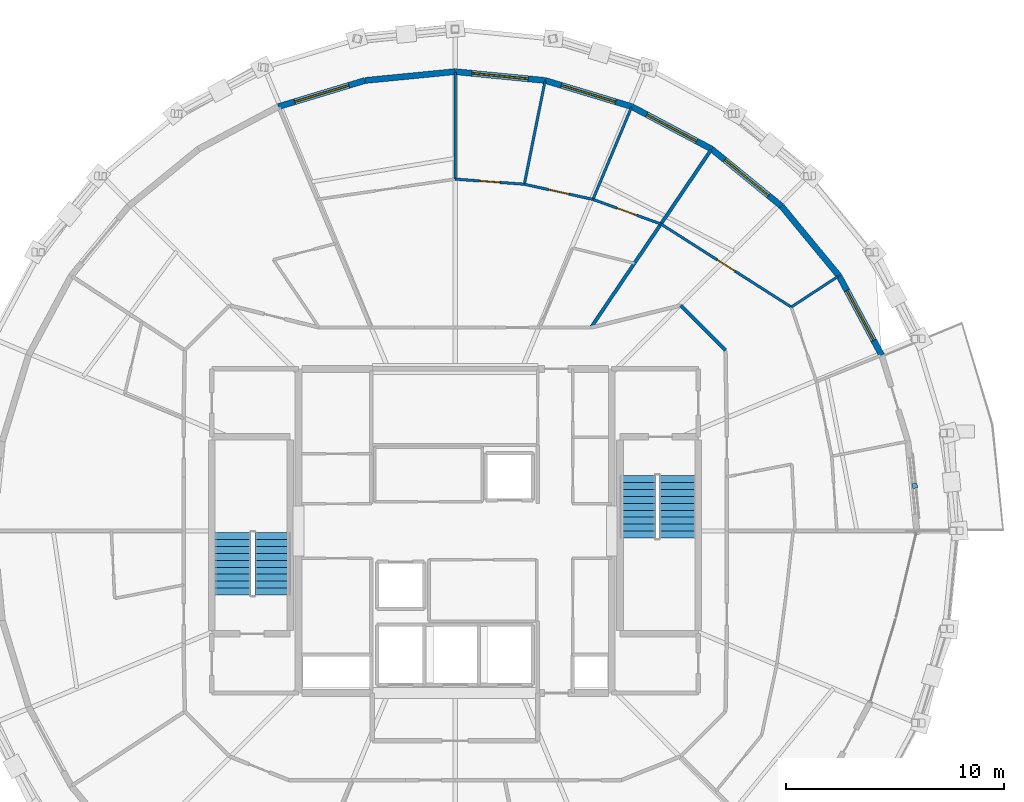
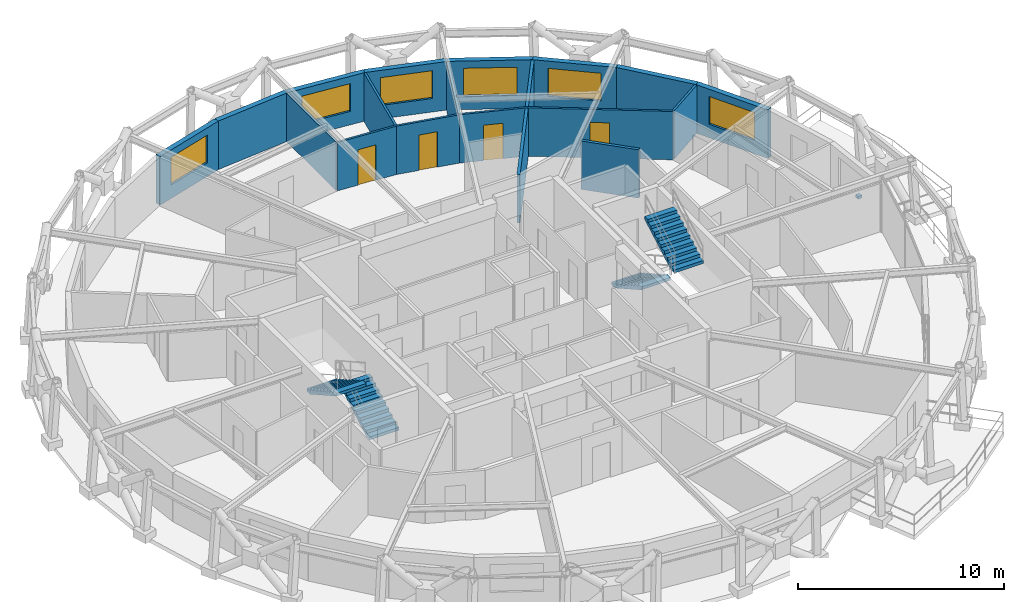
# One storey, part 11 of 12: 18 walls, 6 windows, 4 doors, 4 stair flights, 1 discrete accessory, 10 openings, 2 elements without a shape of their own.
"""IFC4 building model written with IfcOpenShell, lengths in metres."""

from ifc_helpers import new_model, si_unit, direction, frame, frame_2d, origin, origin_2d, place, context, subcontext, project, spatial, polyline, rectangle, outline, extrude, material, layer, layer_set, type_object, element, fill, aggregate, save


model = new_model("IFC4")

# Units and contexts
model_context = context("Model", 3, precision=1e-05, world=origin(), true_north=direction((0.0, 1.0)))
body_context = subcontext(model_context, "Body", "Model", "MODEL_VIEW")
ifc_project = project(units=[si_unit("LENGTHUNIT", "METRE"), si_unit("AREAUNIT", "SQUARE_METRE"), si_unit("VOLUMEUNIT", "CUBIC_METRE"), si_unit("PLANEANGLEUNIT", "RADIAN"), si_unit("MASSUNIT", "GRAM", prefix="KILO")], contexts=[model_context])

# Site, building, storey
site_placement = place(None, origin())
site = spatial("IfcSite", under=ifc_project, at=site_placement, CompositionType="ELEMENT")
building_placement = place(site_placement, origin())
building = spatial("IfcBuilding", under=site, at=building_placement, Name="Veldorina Hangang Commons", CompositionType="ELEMENT")
storey_placement = place(building_placement, frame((0.0, 0.0, 247.199951171875)))
storey = spatial("IfcBuildingStorey", under=building, at=storey_placement, Name="L64", CompositionType="ELEMENT", Elevation=247.199951171875)

# Wall, opening, window
ifc_material_1 = material(Name="Stone Roman Travertine", Category="masonry")
ifc_layer_1 = layer(ifc_material_1, 0.280029296875)
ifc_layer_set_1 = layer_set([ifc_layer_1], Name="Stone Roman Travertine")
wall_type_1 = type_object("IfcWallType", Name="EW-TRAV-280", PredefinedType="STANDARD", material=ifc_layer_set_1)
wall_1_placement = place(storey_placement, frame((51.6044921875, 32.078369140625, 0.0), z_axis=(0.0, 0.0, 1.0), x_axis=(-0.473326520675, 0.880887055658, 0.0)))
wall_1 = element("IfcWall", 1, at=wall_1_placement, inside=storey, type_object=wall_type_1, Name="L64 travertine facade wall 02", PredefinedType="STANDARD", context=body_context, shape_type="SweptSolid", body=[
    extrude(rectangle(XDim=4.142822265625, YDim=0.280029296875, at=frame_2d((2.0712890625, 0.0))), origin(), (0.0, 0.0, 1.0), 2.880126953125),
])
opening_1_placement = place(wall_1_placement, frame((0.771484375, 0.0, 0.800048828125)))
opening_1 = element("IfcOpeningElement", 2, at=opening_1_placement, cuts=wall_1, Name="Opening W-02", PredefinedType="OPENING", context=body_context, shape_type="SweptSolid", body=[
    extrude(rectangle(XDim=2.60009765625, YDim=1.64990234375, at=frame_2d((1.300048828125, 0.824951171875))), frame((0.0, 0.14990234375, 0.0), z_axis=(0.0, -1.0, 0.0), x_axis=(1.0, 0.0, 0.0)), (0.0, 0.0, 1.0), 0.300048828125),
])
ifc_material_2 = material(Name="Glass Low-E Triple IGU", Category="glass")
window_type = type_object("IfcWindowType", Name="WIN-TWR-2600", PartitioningType="SINGLE_PANEL", PredefinedType="WINDOW", material=ifc_material_2)
window_1_placement = place(opening_1_placement, origin())
window_1 = element("IfcWindow", 3, at=window_1_placement, inside=storey, type_object=window_type, Name="L64 facade window 02", OverallHeight=1.64990234375, OverallWidth=2.60009765625, PartitioningType="SINGLE_PANEL", PredefinedType="WINDOW", context=body_context, shape_type="SweptSolid", body=[
    extrude(rectangle(XDim=2.60009765625, YDim=1.64990234375, at=frame_2d((1.300048828125, 0.824951171875))), frame((0.0, 0.030029296875, 0.0), z_axis=(0.0, -1.0, 0.0), x_axis=(1.0, 0.0, 0.0)), (0.0, 0.0, 1.0), 0.06005859375),
])
fill(opening_1, window_1)

# Wall
wall_2_placement = place(storey_placement, frame((49.6435546875, 35.727783203125, 0.0), z_axis=(0.0, 0.0, 1.0), x_axis=(-0.63634880002, 0.771401454959, 0.0)))
element("IfcWall", 4, at=wall_2_placement, inside=storey, type_object=wall_type_1, Name="L64 travertine facade wall 03", PredefinedType="STANDARD", context=body_context, shape_type="SweptSolid", body=[
    extrude(rectangle(XDim=4.14697265625, YDim=0.280029296875, at=frame_2d((2.073486328125, 0.0))), origin(), (0.0, 0.0, 1.0), 2.880126953125),
])

# Wall, opening, window
wall_3_placement = place(storey_placement, frame((47.004638671875, 38.9267578125, 0.0), z_axis=(0.0, 0.0, 1.0), x_axis=(-0.774627683951, 0.632417545025, 0.0)))
wall_3 = element("IfcWall", 5, at=wall_3_placement, inside=storey, type_object=wall_type_1, Name="L64 travertine facade wall 04", PredefinedType="STANDARD", context=body_context, shape_type="SweptSolid", body=[
    extrude(rectangle(XDim=4.151123046875, YDim=0.280029296875, at=frame_2d((2.07568359375, 0.0))), origin(), (0.0, 0.0, 1.0), 2.880126953125),
])
opening_2_placement = place(wall_3_placement, frame((0.775634765625, 0.0, 0.800048828125)))
opening_2 = element("IfcOpeningElement", 6, at=opening_2_placement, cuts=wall_3, Name="Opening W-02", PredefinedType="OPENING", context=body_context, shape_type="SweptSolid", body=[
    extrude(rectangle(XDim=2.60009765625, YDim=1.64990234375, at=frame_2d((1.300048828125, 0.824951171875))), frame((0.0, 0.14990234375, 0.0), z_axis=(0.0, -1.0, 0.0), x_axis=(1.0, 0.0, 0.0)), (0.0, 0.0, 1.0), 0.300048828125),
])
window_2_placement = place(opening_2_placement, origin())
window_2 = element("IfcWindow", 7, at=window_2_placement, inside=storey, type_object=window_type, Name="L64 facade window 04", OverallHeight=1.64990234375, OverallWidth=2.60009765625, PartitioningType="SINGLE_PANEL", PredefinedType="WINDOW", context=body_context, shape_type="SweptSolid", body=[
    extrude(rectangle(XDim=2.60009765625, YDim=1.64990234375, at=frame_2d((1.300048828125, 0.824951171875))), frame((0.0, 0.030029296875, 0.0), z_axis=(0.0, -1.0, 0.0), x_axis=(1.0, 0.0, 0.0)), (0.0, 0.0, 1.0), 0.06005859375),
])
fill(opening_2, window_2)

wall_4_placement = place(storey_placement, frame((43.7890625, 41.552001953125, 0.0), z_axis=(0.0, 0.0, 1.0), x_axis=(-0.88293458377, 0.469496028506, 0.0)))
wall_4 = element("IfcWall", 8, at=wall_4_placement, inside=storey, type_object=wall_type_1, Name="L64 travertine facade wall 05", PredefinedType="STANDARD", context=body_context, shape_type="SweptSolid", body=[
    extrude(rectangle(XDim=4.15478515625, YDim=0.280029296875, at=frame_2d((2.077392578125, 0.0))), origin(), (0.0, 0.0, 1.0), 2.880126953125),
])
opening_3_placement = place(wall_4_placement, frame((0.777587890625, 0.0, 0.800048828125)))
opening_3 = element("IfcOpeningElement", 9, at=opening_3_placement, cuts=wall_4, Name="Opening W-02", PredefinedType="OPENING", context=body_context, shape_type="SweptSolid", body=[
    extrude(rectangle(XDim=2.60009765625, YDim=1.64990234375, at=frame_2d((1.300048828125, 0.824951171875))), frame((0.0, 0.14990234375, 0.0), z_axis=(0.0, -1.0, 0.0), x_axis=(1.0, 0.0, 0.0)), (0.0, 0.0, 1.0), 0.300048828125),
])
window_3_placement = place(opening_3_placement, origin())
window_3 = element("IfcWindow", 10, at=window_3_placement, inside=storey, type_object=window_type, Name="L64 facade window 05", OverallHeight=1.64990234375, OverallWidth=2.60009765625, PartitioningType="SINGLE_PANEL", PredefinedType="WINDOW", context=body_context, shape_type="SweptSolid", body=[
    extrude(rectangle(XDim=2.60009765625, YDim=1.64990234375, at=frame_2d((1.300048828125, 0.824951171875))), frame((0.0, 0.030029296875, 0.0), z_axis=(0.0, -1.0, 0.0), x_axis=(1.0, 0.0, 0.0)), (0.0, 0.0, 1.0), 0.06005859375),
])
fill(opening_3, window_3)

wall_5_placement = place(storey_placement, frame((40.12060546875, 43.502685546875, 0.0), z_axis=(0.0, 0.0, 1.0), x_axis=(-0.957348244256, 0.288936566083, 0.0)))
wall_5 = element("IfcWall", 11, at=wall_5_placement, inside=storey, type_object=wall_type_1, Name="L64 travertine facade wall 06", PredefinedType="STANDARD", context=body_context, shape_type="SweptSolid", body=[
    extrude(rectangle(XDim=4.157958984375, YDim=0.280029296875, at=frame_2d((2.0791015625, 0.0))), origin(), (0.0, 0.0, 1.0), 2.880126953125),
])
opening_4_placement = place(wall_5_placement, frame((0.779052734375, 0.0, 0.800048828125)))
opening_4 = element("IfcOpeningElement", 12, at=opening_4_placement, cuts=wall_5, Name="Opening W-02", PredefinedType="OPENING", context=body_context, shape_type="SweptSolid", body=[
    extrude(rectangle(XDim=2.60009765625, YDim=1.64990234375, at=frame_2d((1.300048828125, 0.824951171875))), frame((0.0, 0.14990234375, 0.0), z_axis=(0.0, -1.0, 0.0), x_axis=(1.0, 0.0, 0.0)), (0.0, 0.0, 1.0), 0.300048828125),
])
window_4_placement = place(opening_4_placement, origin())
window_4 = element("IfcWindow", 13, at=window_4_placement, inside=storey, type_object=window_type, Name="L64 facade window 06", OverallHeight=1.64990234375, OverallWidth=2.60009765625, PartitioningType="SINGLE_PANEL", PredefinedType="WINDOW", context=body_context, shape_type="SweptSolid", body=[
    extrude(rectangle(XDim=2.60009765625, YDim=1.64990234375, at=frame_2d((1.300048828125, 0.824951171875))), frame((0.0, 0.030029296875, 0.0), z_axis=(0.0, -1.0, 0.0), x_axis=(1.0, 0.0, 0.0)), (0.0, 0.0, 1.0), 0.06005859375),
])
fill(opening_4, window_4)

wall_6_placement = place(storey_placement, frame((36.139892578125, 44.7041015625, 0.0), z_axis=(0.0, 0.0, 1.0), x_axis=(-0.995236791144, 0.09748707378, 0.0)))
wall_6 = element("IfcWall", 14, at=wall_6_placement, inside=storey, type_object=wall_type_1, Name="L64 travertine facade wall 07", PredefinedType="STANDARD", context=body_context, shape_type="SweptSolid", body=[
    extrude(rectangle(XDim=4.15966796875, YDim=0.280029296875, at=frame_2d((2.079833984375, 0.0))), origin(), (0.0, 0.0, 1.0), 2.880126953125),
])
opening_5_placement = place(wall_6_placement, frame((0.77978515625, 0.0, 0.800048828125)))
opening_5 = element("IfcOpeningElement", 15, at=opening_5_placement, cuts=wall_6, Name="Opening W-02", PredefinedType="OPENING", context=body_context, shape_type="SweptSolid", body=[
    extrude(rectangle(XDim=2.60009765625, YDim=1.64990234375, at=frame_2d((1.300048828125, 0.824951171875))), frame((0.0, 0.14990234375, 0.0), z_axis=(0.0, -1.0, 0.0), x_axis=(1.0, 0.0, 0.0)), (0.0, 0.0, 1.0), 0.300048828125),
])
window_5_placement = place(opening_5_placement, origin())
window_5 = element("IfcWindow", 16, at=window_5_placement, inside=storey, type_object=window_type, Name="L64 facade window 07", OverallHeight=1.64990234375, OverallWidth=2.60009765625, PartitioningType="SINGLE_PANEL", PredefinedType="WINDOW", context=body_context, shape_type="SweptSolid", body=[
    extrude(rectangle(XDim=2.60009765625, YDim=1.64990234375, at=frame_2d((1.300048828125, 0.824951171875))), frame((0.0, 0.030029296875, 0.0), z_axis=(0.0, -1.0, 0.0), x_axis=(1.0, 0.0, 0.0)), (0.0, 0.0, 1.0), 0.06005859375),
])
fill(opening_5, window_5)

# Wall
wall_7_placement = place(storey_placement, frame((32.0, 45.109619140625, 0.0), z_axis=(0.0, 0.0, 1.0), x_axis=(-0.995236791144, -0.09748707378, 0.0)))
element("IfcWall", 17, at=wall_7_placement, inside=storey, type_object=wall_type_1, Name="L64 travertine facade wall 08", PredefinedType="STANDARD", context=body_context, shape_type="SweptSolid", body=[
    extrude(rectangle(XDim=4.15966796875, YDim=0.280029296875, at=frame_2d((2.079833984375, 0.0))), origin(), (0.0, 0.0, 1.0), 2.880126953125),
])

# Wall, opening, window
wall_8_placement = place(storey_placement, frame((27.860107421875, 44.7041015625, 0.0), z_axis=(0.0, 0.0, 1.0), x_axis=(-0.957348244256, -0.288936566083, 0.0)))
wall_8 = element("IfcWall", 18, at=wall_8_placement, inside=storey, type_object=wall_type_1, Name="L64 travertine facade wall 09", PredefinedType="STANDARD", context=body_context, shape_type="SweptSolid", body=[
    extrude(rectangle(XDim=4.157958984375, YDim=0.280029296875, at=frame_2d((2.0791015625, 0.0))), origin(), (0.0, 0.0, 1.0), 2.880126953125),
])
opening_6_placement = place(wall_8_placement, frame((0.779052734375, 0.0, 0.800048828125)))
opening_6 = element("IfcOpeningElement", 19, at=opening_6_placement, cuts=wall_8, Name="Opening W-02", PredefinedType="OPENING", context=body_context, shape_type="SweptSolid", body=[
    extrude(rectangle(XDim=2.60009765625, YDim=1.64990234375, at=frame_2d((1.300048828125, 0.824951171875))), frame((0.0, 0.14990234375, 0.0), z_axis=(0.0, -1.0, 0.0), x_axis=(1.0, 0.0, 0.0)), (0.0, 0.0, 1.0), 0.300048828125),
])
window_6_placement = place(opening_6_placement, origin())
window_6 = element("IfcWindow", 20, at=window_6_placement, inside=storey, type_object=window_type, Name="L64 facade window 09", OverallHeight=1.64990234375, OverallWidth=2.60009765625, PartitioningType="SINGLE_PANEL", PredefinedType="WINDOW", context=body_context, shape_type="SweptSolid", body=[
    extrude(rectangle(XDim=2.60009765625, YDim=1.64990234375, at=frame_2d((1.300048828125, 0.824951171875))), frame((0.0, 0.030029296875, 0.0), z_axis=(0.0, -1.0, 0.0), x_axis=(1.0, 0.0, 0.0)), (0.0, 0.0, 1.0), 0.06005859375),
])
fill(opening_6, window_6)

# Walls
ifc_material_3 = material(Name="Gypsum Fire-Rated Twin Stud Wall", Category="gypsum")
ifc_layer_2 = layer(ifc_material_3, 0.159912109375)
ifc_layer_set_2 = layer_set([ifc_layer_2], Name="Gypsum Fire-Rated Twin Stud Wall")
wall_type_2 = type_object("IfcWallType", Name="WL-FIRE-160", PredefinedType="SOLIDWALL", material=ifc_layer_set_2)
wall_9_placement = place(storey_placement, frame((44.4267578125, 32.30322265625, 0.0), z_axis=(0.0, 0.0, 1.0), x_axis=(-0.707106781187, 0.707106781187, 0.0)))
element("IfcWall", 21, at=wall_9_placement, inside=storey, type_object=wall_type_2, Name="L64 Compact collar outer wall 03 055", PredefinedType="SOLIDWALL", context=body_context, shape_type="SweptSolid", body=[
    extrude(rectangle(XDim=2.915771484375, YDim=0.159912109375, at=frame_2d((1.4580078125, 0.0))), origin(), (0.0, 0.0, 1.0), 2.8701171875),
])
wall_10_placement = place(storey_placement, frame((38.24755859375, 33.35009765625, 0.0), z_axis=(0.0, 0.0, 1.0), x_axis=(0.559821071882, 0.828613521177, 0.0)))
element("IfcWall", 22, at=wall_10_placement, inside=storey, type_object=wall_type_2, Name="L64 Unit party wall 05 099", PredefinedType="SOLIDWALL", context=body_context, shape_type="SweptSolid", body=[
    extrude(rectangle(XDim=9.8486328125, YDim=0.159912109375, at=frame_2d((4.92431640625, 0.0))), origin(), (0.0, 0.0, 1.0), 2.8701171875),
])

# Wall, opening, door
ifc_material_4 = material(Name="Gypsum Acoustic Stud Partition", Category="gypsum")
ifc_layer_3 = layer(ifc_material_4, 0.1201171875)
ifc_layer_set_3 = layer_set([ifc_layer_3], Name="Gypsum Acoustic Stud Partition")
wall_type_3 = type_object("IfcWallType", Name="WL-PART-120", PredefinedType="PARTITIONING", material=ifc_layer_set_3)
wall_11_placement = place(storey_placement, frame((47.452392578125, 34.28955078125, 0.0), z_axis=(0.0, 0.0, 1.0), x_axis=(-0.84332026634, 0.53741132141, 0.0)))
wall_11 = element("IfcWall", 23, at=wall_11_placement, inside=storey, type_object=wall_type_3, Name="L64 Cluster 2 bed 4 front wall 097", PredefinedType="PARTITIONING", context=body_context, shape_type="SweptSolid", body=[
    extrude(rectangle(XDim=7.103759765625, YDim=0.1201171875, at=frame_2d((3.5517578125, 0.0))), origin(), (0.0, 0.0, 1.0), 2.8701171875),
])
opening_7_placement = place(wall_11_placement, frame((3.076904296875, 0.0, 0.0)))
opening_7 = element("IfcOpeningElement", 24, at=opening_7_placement, cuts=wall_11, Name="Opening D-02", PredefinedType="OPENING", context=body_context, shape_type="SweptSolid", body=[
    extrude(rectangle(XDim=0.949951171875, YDim=2.10009765625, at=frame_2d((0.47509765625, 1.050048828125))), frame((0.0, 0.070068359375, 0.0), z_axis=(0.0, -1.0, 0.0), x_axis=(1.0, 0.0, 0.0)), (0.0, 0.0, 1.0), 0.14013671875),
])
ifc_material_5 = material(Name="Timber Solid Core Acoustic", Category="wood")
door_type = type_object("IfcDoorType", Name="DR-INT-950", OperationType="SINGLE_SWING_LEFT", PredefinedType="DOOR", material=ifc_material_5)
door_1_placement = place(opening_7_placement, origin())
door_1 = element("IfcDoor", 25, at=door_1_placement, inside=storey, type_object=door_type, Name="L64 Cluster 2 bed 4 door 027", OperationType="SINGLE_SWING_LEFT", OverallHeight=2.10009765625, OverallWidth=0.949951171875, PredefinedType="DOOR", context=body_context, shape_type="SweptSolid", body=[
    extrude(rectangle(XDim=0.949951171875, YDim=2.10009765625, at=frame_2d((0.47509765625, 1.050048828125))), frame((0.0, 0.02490234375, 0.0), z_axis=(0.0, -1.0, 0.0), x_axis=(1.0, 0.0, 0.0)), (0.0, 0.0, 1.0), 0.050048828125),
])
fill(opening_7, door_1)

# Wall
wall_12_placement = place(storey_placement, frame((47.452392578125, 34.28955078125, 0.0), z_axis=(0.0, 0.0, 1.0), x_axis=(0.835988015849, 0.548747699181, 0.0)))
element("IfcWall", 26, at=wall_12_placement, inside=storey, type_object=wall_type_3, Name="L64 Cluster 2 bed divider 3 098", PredefinedType="PARTITIONING", context=body_context, shape_type="SweptSolid", body=[
    extrude(rectangle(XDim=2.571044921875, YDim=0.1201171875, at=frame_2d((1.28564453125, 0.0))), origin(), (0.0, 0.0, 1.0), 2.8701171875),
])

# Wall, opening, door
wall_13_placement = place(storey_placement, frame((41.461669921875, 38.107177734375, 0.0), z_axis=(0.0, 0.0, 1.0), x_axis=(-0.940285712811, 0.340386219293, 0.0)))
wall_13 = element("IfcWall", 27, at=wall_13_placement, inside=storey, type_object=wall_type_3, Name="L64 Cluster 3 bed 1 front wall 102", PredefinedType="PARTITIONING", context=body_context, shape_type="SweptSolid", body=[
    extrude(rectangle(XDim=3.32373046875, YDim=0.1201171875, at=frame_2d((1.661865234375, 0.0))), origin(), (0.0, 0.0, 1.0), 2.8701171875),
])
opening_8_placement = place(wall_13_placement, frame((1.186767578125, 0.0, 0.0)))
opening_8 = element("IfcOpeningElement", 28, at=opening_8_placement, cuts=wall_13, Name="Opening D-02", PredefinedType="OPENING", context=body_context, shape_type="SweptSolid", body=[
    extrude(rectangle(XDim=0.949951171875, YDim=2.10009765625, at=frame_2d((0.47509765625, 1.050048828125))), frame((0.0, 0.070068359375, 0.0), z_axis=(0.0, -1.0, 0.0), x_axis=(1.0, 0.0, 0.0)), (0.0, 0.0, 1.0), 0.14013671875),
])
door_2_placement = place(opening_8_placement, origin())
door_2 = element("IfcDoor", 29, at=door_2_placement, inside=storey, type_object=door_type, Name="L64 Cluster 3 bed 1 door 030", OperationType="SINGLE_SWING_RIGHT", OverallHeight=2.10009765625, OverallWidth=0.949951171875, PredefinedType="DOOR", context=body_context, shape_type="SweptSolid", body=[
    extrude(rectangle(XDim=0.949951171875, YDim=2.10009765625, at=frame_2d((0.47509765625, 1.050048828125))), frame((0.0, 0.02490234375, 0.0), z_axis=(0.0, -1.0, 0.0), x_axis=(1.0, 0.0, 0.0)), (0.0, 0.0, 1.0), 0.050048828125),
])
fill(opening_8, door_2)

wall_14_placement = place(storey_placement, frame((38.33642578125, 39.238525390625, 0.0), z_axis=(0.0, 0.0, 1.0), x_axis=(-0.976460139278, 0.215697928599, 0.0)))
wall_14 = element("IfcWall", 30, at=wall_14_placement, inside=storey, type_object=wall_type_3, Name="L64 Cluster 3 bed 2 front wall 103", PredefinedType="PARTITIONING", context=body_context, shape_type="SweptSolid", body=[
    extrude(rectangle(XDim=3.230224609375, YDim=0.1201171875, at=frame_2d((1.615234375, 0.0))), origin(), (0.0, 0.0, 1.0), 2.8701171875),
])
opening_9_placement = place(wall_14_placement, frame((1.14013671875, 0.0, 0.0)))
opening_9 = element("IfcOpeningElement", 31, at=opening_9_placement, cuts=wall_14, Name="Opening D-02", PredefinedType="OPENING", context=body_context, shape_type="SweptSolid", body=[
    extrude(rectangle(XDim=0.949951171875, YDim=2.10009765625, at=frame_2d((0.47509765625, 1.050048828125))), frame((0.0, 0.070068359375, 0.0), z_axis=(0.0, -1.0, 0.0), x_axis=(1.0, 0.0, 0.0)), (0.0, 0.0, 1.0), 0.14013671875),
])
door_3_placement = place(opening_9_placement, origin())
door_3 = element("IfcDoor", 32, at=door_3_placement, inside=storey, type_object=door_type, Name="L64 Cluster 3 bed 2 door 031", OperationType="SINGLE_SWING_LEFT", OverallHeight=2.10009765625, OverallWidth=0.949951171875, PredefinedType="DOOR", context=body_context, shape_type="SweptSolid", body=[
    extrude(rectangle(XDim=0.949951171875, YDim=2.10009765625, at=frame_2d((0.47509765625, 1.050048828125))), frame((0.0, 0.02490234375, 0.0), z_axis=(0.0, -1.0, 0.0), x_axis=(1.0, 0.0, 0.0)), (0.0, 0.0, 1.0), 0.050048828125),
])
fill(opening_9, door_3)

# Wall
wall_15_placement = place(storey_placement, frame((38.33642578125, 39.238525390625, 0.0), z_axis=(0.0, 0.0, 1.0), x_axis=(0.385972204877, 0.922510410273, 0.0)))
element("IfcWall", 33, at=wall_15_placement, inside=storey, type_object=wall_type_3, Name="L64 Cluster 3 bed divider 1 104", PredefinedType="PARTITIONING", context=body_context, shape_type="SweptSolid", body=[
    extrude(rectangle(XDim=4.572509765625, YDim=0.1201171875, at=frame_2d((2.2861328125, 0.0))), origin(), (0.0, 0.0, 1.0), 2.8701171875),
])

# Wall, opening, door
wall_16_placement = place(storey_placement, frame((35.18212890625, 39.935302734375, 0.0), z_axis=(0.0, 0.0, 1.0), x_axis=(-0.997276098801, 0.073758950379, 0.0)))
wall_16 = element("IfcWall", 34, at=wall_16_placement, inside=storey, type_object=wall_type_3, Name="L64 Cluster 3 bed 3 front wall 105", PredefinedType="PARTITIONING", context=body_context, shape_type="SweptSolid", body=[
    extrude(rectangle(XDim=3.19091796875, YDim=0.1201171875, at=frame_2d((1.595458984375, 0.0))), origin(), (0.0, 0.0, 1.0), 2.8701171875),
])
opening_10_placement = place(wall_16_placement, frame((1.120361328125, 0.0, 0.0)))
opening_10 = element("IfcOpeningElement", 35, at=opening_10_placement, cuts=wall_16, Name="Opening D-02", PredefinedType="OPENING", context=body_context, shape_type="SweptSolid", body=[
    extrude(rectangle(XDim=0.949951171875, YDim=2.10009765625, at=frame_2d((0.47509765625, 1.050048828125))), frame((0.0, 0.070068359375, 0.0), z_axis=(0.0, -1.0, 0.0), x_axis=(1.0, 0.0, 0.0)), (0.0, 0.0, 1.0), 0.14013671875),
])
door_4_placement = place(opening_10_placement, origin())
door_4 = element("IfcDoor", 36, at=door_4_placement, inside=storey, type_object=door_type, Name="L64 Cluster 3 bed 3 door 032", OperationType="SINGLE_SWING_RIGHT", OverallHeight=2.10009765625, OverallWidth=0.949951171875, PredefinedType="DOOR", context=body_context, shape_type="SweptSolid", body=[
    extrude(rectangle(XDim=0.949951171875, YDim=2.10009765625, at=frame_2d((0.47509765625, 1.050048828125))), frame((0.0, 0.02490234375, 0.0), z_axis=(0.0, -1.0, 0.0), x_axis=(1.0, 0.0, 0.0)), (0.0, 0.0, 1.0), 0.050048828125),
])
fill(opening_10, door_4)

# Walls
wall_17_placement = place(storey_placement, frame((35.18212890625, 39.935302734375, 0.0), z_axis=(0.0, 0.0, 1.0), x_axis=(0.196876805664, 0.980428234697, 0.0)))
element("IfcWall", 37, at=wall_17_placement, inside=storey, type_object=wall_type_3, Name="L64 Cluster 3 bed divider 2 106", PredefinedType="PARTITIONING", context=body_context, shape_type="SweptSolid", body=[
    extrude(rectangle(XDim=4.81396484375, YDim=0.1201171875, at=frame_2d((2.406982421875, 0.0))), origin(), (0.0, 0.0, 1.0), 2.8701171875),
])
wall_18_placement = place(storey_placement, frame((32.0, 40.170654296875, 0.0), z_axis=(0.0, 0.0, 1.0), x_axis=(0.0, 1.0, 0.0)))
element("IfcWall", 38, at=wall_18_placement, inside=storey, type_object=wall_type_3, Name="L64 Cluster 3 bed divider 3 108", PredefinedType="PARTITIONING", context=body_context, shape_type="SweptSolid", body=[
    extrude(rectangle(XDim=4.88916015625, YDim=0.1201171875, at=frame_2d((2.444580078125, 0.0))), origin(), (0.0, 0.0, 1.0), 2.8701171875),
])

# Stair, stair flights
ifc_material_6 = material(Name="Concrete C40/50", Category="concrete")
stair_type = type_object("IfcStairType", Name="STR-DOG-1650-20R", PredefinedType="HALF_TURN_STAIR", material=ifc_material_6)
stair_1_placement = place(storey_placement, origin())
stair_1 = element("IfcStair", 39, at=stair_1_placement, inside=storey, type_object=stair_type, Name="L64 Exit stair ST-1", PredefinedType="HALF_TURN_STAIR")
stair_flight_type = type_object("IfcStairFlightType", Name="SFL-STR-1650-20R", PredefinedType="STRAIGHT", material=ifc_material_6)
stair_flight_1_placement = place(storey_placement, frame((23.625, 21.050048828125, 0.0), z_axis=(0.0, 0.0, 1.0), x_axis=(0.0, 1.0, 0.0)))
stair_flight_1 = element("IfcStairFlight", 40, at=stair_flight_1_placement, type_object=stair_flight_type, Name="ST-1 flight 1", NumberOfRisers=10, NumberOfTreads=9, PredefinedType="STRAIGHT", RiserHeight=0.18, TreadLength=0.32, context=body_context, shape_type="SweptSolid", body=[
    extrude(outline(polyline([(0.0, 0.0), (0.0, 0.179931640625), (0.320068359375, 0.179931640625), (0.320068359375, 0.360107421875), (0.639892578125, 0.360107421875), (0.639892578125, 0.5400390625), (0.9599609375, 0.5400390625), (0.9599609375, 0.719970703125), (1.280029296875, 0.719970703125), (1.280029296875, 0.89990234375), (1.60009765625, 0.89990234375), (1.60009765625, 1.080078125), (1.919921875, 1.080078125), (1.919921875, 1.260009765625), (2.239990234375, 1.260009765625), (2.239990234375, 1.43994140625), (2.56005859375, 1.43994140625), (2.56005859375, 1.6201171875), (2.8798828125, 1.6201171875), (2.8798828125, 1.800048828125), (2.8798828125, 1.447998046875), (0.3056640625, 0.0), (0.0, 0.0)])), frame((0.0, 0.824951171875, 0.0), z_axis=(0.0, -1.0, 0.0), x_axis=(1.0, 0.0, 0.0)), (0.0, 0.0, 1.0), 1.64990234375),
])
stair_flight_2_placement = place(storey_placement, frame((21.77490234375, 23.929931640625, 1.800048828125), z_axis=(0.0, 0.0, 1.0), x_axis=(0.0, -1.0, 0.0)))
stair_flight_2 = element("IfcStairFlight", 41, at=stair_flight_2_placement, type_object=stair_flight_type, Name="ST-1 flight 2", NumberOfRisers=10, NumberOfTreads=9, PredefinedType="STRAIGHT", RiserHeight=0.18, TreadLength=0.32, context=body_context, shape_type="SweptSolid", body=[
    extrude(outline(polyline([(0.0, 0.0), (0.0, 0.179931640625), (0.320068359375, 0.179931640625), (0.320068359375, 0.360107421875), (0.639892578125, 0.360107421875), (0.639892578125, 0.5400390625), (0.9599609375, 0.5400390625), (0.9599609375, 0.719970703125), (1.280029296875, 0.719970703125), (1.280029296875, 0.89990234375), (1.60009765625, 0.89990234375), (1.60009765625, 1.080078125), (1.919921875, 1.080078125), (1.919921875, 1.260009765625), (2.239990234375, 1.260009765625), (2.239990234375, 1.43994140625), (2.56005859375, 1.43994140625), (2.56005859375, 1.6201171875), (2.8798828125, 1.6201171875), (2.8798828125, 1.800048828125), (2.8798828125, 1.447998046875), (0.3056640625, 0.0), (0.0, 0.0)])), frame((0.0, 0.824951171875, 0.0), z_axis=(0.0, -1.0, 0.0), x_axis=(1.0, 0.0, 0.0)), (0.0, 0.0, 1.0), 1.64990234375),
])
aggregate(stair_1, [stair_flight_1, stair_flight_2])

stair_2_placement = place(storey_placement, origin())
stair_2 = element("IfcStair", 42, at=stair_2_placement, inside=storey, type_object=stair_type, Name="L64 Exit stair ST-2", PredefinedType="HALF_TURN_STAIR")
stair_flight_3_placement = place(storey_placement, frame((40.375, 26.550048828125, 0.0), z_axis=(0.0, 0.0, 1.0), x_axis=(0.0, -1.0, 0.0)))
stair_flight_3 = element("IfcStairFlight", 43, at=stair_flight_3_placement, type_object=stair_flight_type, Name="ST-2 flight 1", NumberOfRisers=10, NumberOfTreads=9, PredefinedType="STRAIGHT", RiserHeight=0.18, TreadLength=0.32, context=body_context, shape_type="SweptSolid", body=[
    extrude(outline(polyline([(0.0, 0.0), (0.0, 0.179931640625), (0.320068359375, 0.179931640625), (0.320068359375, 0.360107421875), (0.639892578125, 0.360107421875), (0.639892578125, 0.5400390625), (0.9599609375, 0.5400390625), (0.9599609375, 0.719970703125), (1.280029296875, 0.719970703125), (1.280029296875, 0.89990234375), (1.60009765625, 0.89990234375), (1.60009765625, 1.080078125), (1.919921875, 1.080078125), (1.919921875, 1.260009765625), (2.239990234375, 1.260009765625), (2.239990234375, 1.43994140625), (2.56005859375, 1.43994140625), (2.56005859375, 1.6201171875), (2.8798828125, 1.6201171875), (2.8798828125, 1.800048828125), (2.8798828125, 1.447998046875), (0.3056640625, 0.0), (0.0, 0.0)])), frame((0.0, 0.824951171875, 0.0), z_axis=(0.0, -1.0, 0.0), x_axis=(1.0, 0.0, 0.0)), (0.0, 0.0, 1.0), 1.64990234375),
])
stair_flight_4_placement = place(storey_placement, frame((42.22509765625, 23.669921875, 1.800048828125), z_axis=(0.0, 0.0, 1.0), x_axis=(0.0, 1.0, 0.0)))
stair_flight_4 = element("IfcStairFlight", 44, at=stair_flight_4_placement, type_object=stair_flight_type, Name="ST-2 flight 2", NumberOfRisers=10, NumberOfTreads=9, PredefinedType="STRAIGHT", RiserHeight=0.18, TreadLength=0.32, context=body_context, shape_type="SweptSolid", body=[
    extrude(outline(polyline([(0.0, 0.0), (0.0, 0.179931640625), (0.320068359375, 0.179931640625), (0.320068359375, 0.360107421875), (0.639892578125, 0.360107421875), (0.639892578125, 0.5400390625), (0.9599609375, 0.5400390625), (0.9599609375, 0.719970703125), (1.280029296875, 0.719970703125), (1.280029296875, 0.89990234375), (1.60009765625, 0.89990234375), (1.60009765625, 1.080078125), (1.919921875, 1.080078125), (1.919921875, 1.260009765625), (2.239990234375, 1.260009765625), (2.239990234375, 1.43994140625), (2.56005859375, 1.43994140625), (2.56005859375, 1.6201171875), (2.8798828125, 1.6201171875), (2.8798828125, 1.800048828125), (2.8798828125, 1.447998046875), (0.3056640625, 0.0), (0.0, 0.0)])), frame((0.0, 0.824951171875, 0.0), z_axis=(0.0, -1.0, 0.0), x_axis=(1.0, 0.0, 0.0)), (0.0, 0.0, 1.0), 1.64990234375),
])
aggregate(stair_2, [stair_flight_3, stair_flight_4])

# Discrete accessory
ifc_material_7 = material(Name="Stainless Steel Brushed 316", Category="steel")
discrete_accessory_type = type_object("IfcDiscreteAccessoryType", Name="BRK-SCR-SS", PredefinedType="BRACKET", material=ifc_material_7)
discrete_accessory_placement = place(storey_placement, frame((53.135498046875, 26.071044921875, 0.72021484375), z_axis=(0.0, 0.0, 1.0), x_axis=(-0.098520836007, 0.995134988267, 0.0)))
element("IfcDiscreteAccessory", 45, at=discrete_accessory_placement, inside=storey, type_object=discrete_accessory_type, Name="L64 solar screen support bracket 00", PredefinedType="BRACKET", context=body_context, shape_type="SweptSolid", body=[
    extrude(rectangle(XDim=0.219970703125, YDim=0.219970703125, at=origin_2d()), origin(), (0.0, 0.0, 1.0), 0.159912109375),
])

save(model, "model.ifc")
